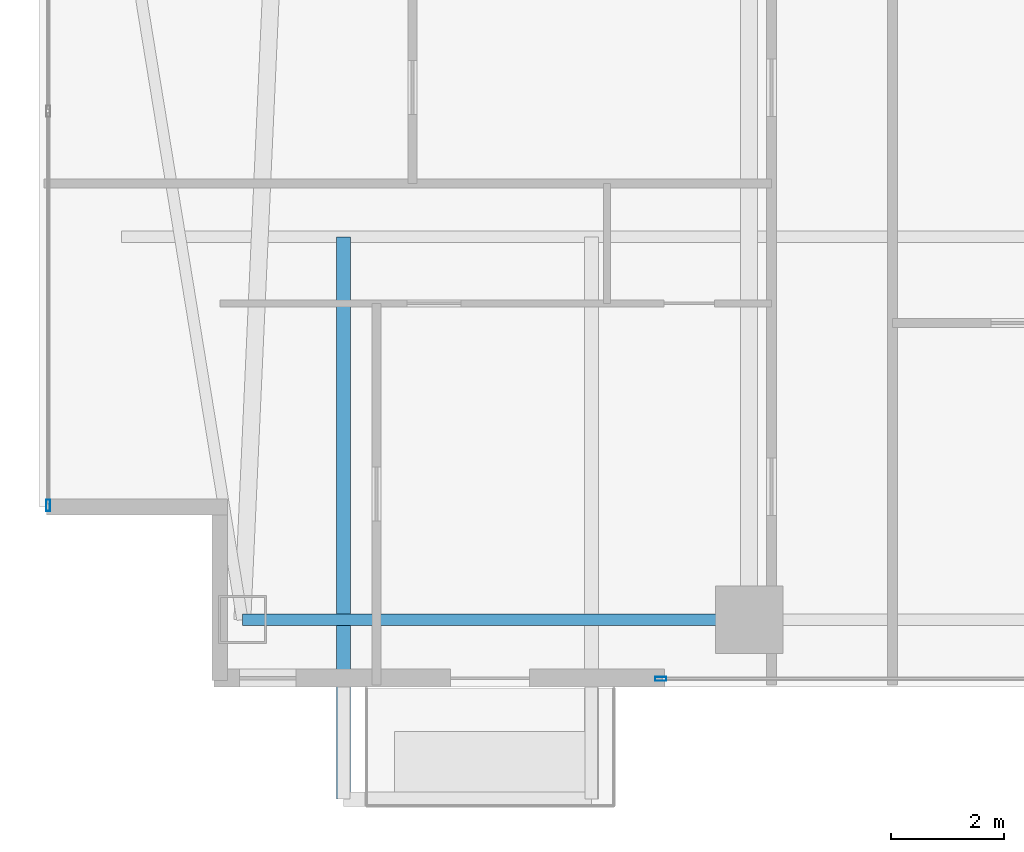
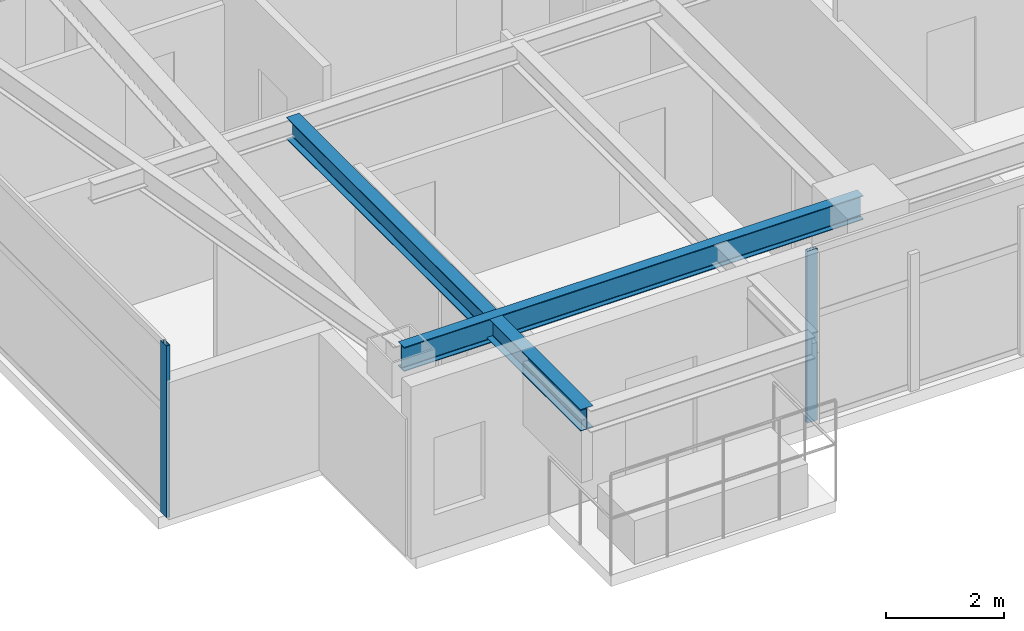
# One storey, part 2 of 28: 2 beams, 2 members, 2 elements without a shape of their own.
"""IFC4 building model written with IfcOpenShell, lengths in metres."""

from ifc_helpers import new_model, si_unit, direction, frame, origin, origin_2d, place, context, subcontext, project, spatial, hollow_rectangle, i_section, extrude, material, layer, layer_set, material_profile, profile_set, type_object, element, aggregate, save


model = new_model("IFC4")

# Units and contexts
model_context = context("Model", 3, precision=1e-05, world=origin(), true_north=direction((0.0, 1.0)))
body_context = subcontext(model_context, "Body", "Model", "MODEL_VIEW")
ifc_project = project(units=[si_unit("LENGTHUNIT", "METRE"), si_unit("AREAUNIT", "SQUARE_METRE"), si_unit("VOLUMEUNIT", "CUBIC_METRE"), si_unit("PLANEANGLEUNIT", "RADIAN"), si_unit("MASSUNIT", "GRAM", prefix="KILO")], contexts=[model_context])

# Site, building, storey
site_placement = place(None, origin())
site = spatial("IfcSite", under=ifc_project, at=site_placement, CompositionType="ELEMENT")
building_placement = place(site_placement, origin())
building = spatial("IfcBuilding", under=site, at=building_placement, Name="Calvorn Quay Hotel", CompositionType="ELEMENT")
storey_placement = place(building_placement, frame((0.0, 0.0, 108.800048828125)))
storey = spatial("IfcBuildingStorey", under=building, at=storey_placement, Name="L26", CompositionType="ELEMENT", Elevation=108.800048828125)

# Beams
ifc_material_1 = material(Name="Steel Q355B", Category="steel")
ifc_material_profile_1 = material_profile(ifc_material_1, i_section(OverallWidth=0.25, OverallDepth=0.449951171875, WebThickness=0.011962890625, FlangeThickness=0.01611328125, FilletRadius=0.01611328125, at=origin_2d()), Name="HN450x250x12x16")
ifc_profile_set_1 = profile_set([ifc_material_profile_1], Name="Steel Q355B")
beam_type_1 = type_object("IfcBeamType", Name="BM-CANT-BALC", PredefinedType="BEAM", material=ifc_profile_set_1)
beam_1_placement = place(storey_placement, frame((5.39990234375, 10.39990234375, 3.31494140625), z_axis=(0.0, -1.0, 0.0), x_axis=(1.0, 0.0, 0.0)))
element("IfcBeam", 1, at=beam_1_placement, inside=storey, type_object=beam_type_1, Name="Cantilever Balcony Beam BCB-L27-2A", PredefinedType="BEAM", context=body_context, shape_type="SweptSolid", body=[
    extrude(i_section(OverallWidth=0.25, OverallDepth=0.449951171875, WebThickness=0.011962890625, FlangeThickness=0.01611328125, FilletRadius=0.01611328125, at=origin_2d()), origin(), (0.0, 0.0, 1.0), 9.989990234375),
])
ifc_material_2 = material(Name="Steel Q355B", Category="steel")
ifc_material_profile_2 = material_profile(ifc_material_2, i_section(OverallWidth=0.199951171875, OverallDepth=0.5, WebThickness=0.010009765625, FlangeThickness=0.01611328125, FilletRadius=0.01611328125, at=origin_2d()), Name="HN500x200x10x16")
ifc_profile_set_2 = profile_set([ifc_material_profile_2], Name="Steel Q355B")
beam_type_2 = type_object("IfcBeamType", Name="BM-SPANDREL-Z1", PredefinedType="SPANDREL", material=ifc_profile_set_2)
beam_2_placement = place(storey_placement, frame((3.60009765625, 3.60009765625, 3.2900390625), z_axis=(1.0, 0.0, 0.0), x_axis=(0.0, 1.0, 0.0)))
element("IfcBeam", 2, at=beam_2_placement, inside=storey, type_object=beam_type_2, Name="Beam BSP-L26-S1", PredefinedType="SPANDREL", context=body_context, shape_type="SweptSolid", body=[
    extrude(i_section(OverallWidth=0.199951171875, OverallDepth=0.5, WebThickness=0.010009765625, FlangeThickness=0.01611328125, FilletRadius=0.01611328125, at=origin_2d()), origin(), (0.0, 0.0, 1.0), 9.0),
])

# Curtain wall, member
ifc_material_3 = material(Name="Pale Anodised Aluminium and Low-E Glass", Category="aluminium")
ifc_layer = layer(ifc_material_3, 0.219970703125)
ifc_layer_set = layer_set([ifc_layer], Name="CW-SYS-Z2")
curtain_wall_type = type_object("IfcCurtainWallType", Name="CW-SYS-Z2", PredefinedType="NOTDEFINED", material=ifc_layer_set)
curtain_wall_1_placement = place(storey_placement, origin())
curtain_wall_1 = element("IfcCurtainWall", 3, at=curtain_wall_1_placement, inside=storey, type_object=curtain_wall_type, Name="Tower West Curtain Wall (L26)", PredefinedType="NOTDEFINED")
ifc_material_4 = material(Name="Pale Anodised Aluminium 6063-T6", Category="aluminium")
ifc_material_profile_3 = material_profile(ifc_material_4, hollow_rectangle(XDim=0.070068359375, YDim=0.199951171875, WallThickness=0.00390625, at=origin_2d()), Name="ALU-M200x70x4")
ifc_profile_set_3 = profile_set([ifc_material_profile_3], Name="Pale Anodised Aluminium 6063-T6")
member_type = type_object("IfcMemberType", Name="CW-SYS-Z2-MUL", PredefinedType="MULLION", material=ifc_profile_set_3)
member_1_placement = place(storey_placement, frame((0.14990234375, 5.6298828125, 0.0), z_axis=(0.0, 0.0, 1.0), x_axis=(-1.0, 0.0, 0.0)))
member_1 = element("IfcMember", 4, at=member_1_placement, type_object=member_type, Name="CW-L26-W mullion 1", PredefinedType="MULLION", context=body_context, shape_type="SweptSolid", body=[
    extrude(hollow_rectangle(XDim=0.070068359375, YDim=0.199951171875, WallThickness=0.00390625, at=origin_2d()), origin(), (0.0, 0.0, 1.0), 3.56005859375),
])
aggregate(curtain_wall_1, [member_1])

curtain_wall_2_placement = place(storey_placement, origin())
curtain_wall_2 = element("IfcCurtainWall", 5, at=curtain_wall_2_placement, inside=storey, type_object=curtain_wall_type, Name="Tower South Waterfront Curtain Wall (L26)", PredefinedType="NOTDEFINED")
member_2_placement = place(storey_placement, frame((11.030029296875, 2.550048828125, 0.0), z_axis=(0.0, 0.0, 1.0), x_axis=(0.0, 1.0, 0.0)))
member_2 = element("IfcMember", 6, at=member_2_placement, type_object=member_type, Name="CW-L26-S mullion 1", PredefinedType="MULLION", context=body_context, shape_type="SweptSolid", body=[
    extrude(hollow_rectangle(XDim=0.070068359375, YDim=0.199951171875, WallThickness=0.00390625, at=origin_2d()), origin(), (0.0, 0.0, 1.0), 3.56005859375),
])
aggregate(curtain_wall_2, [member_2])

save(model, "model.ifc")
